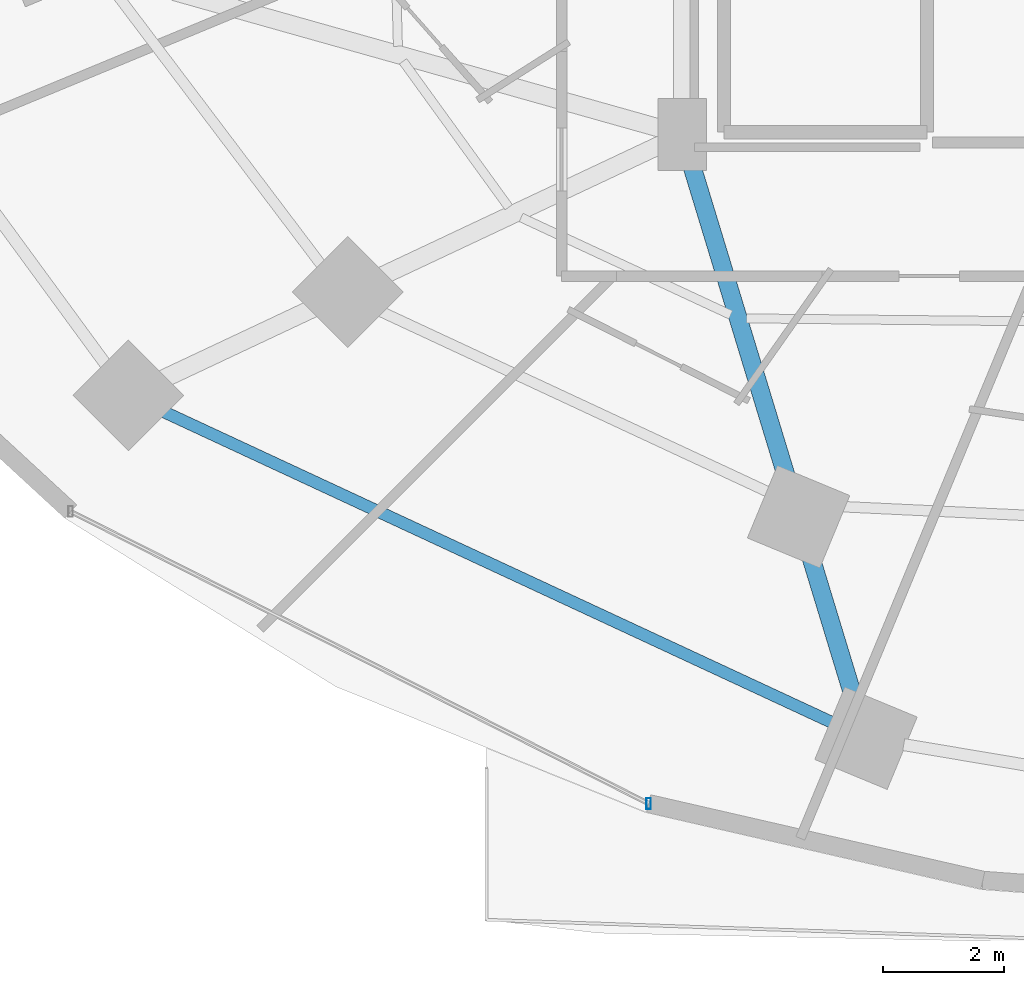
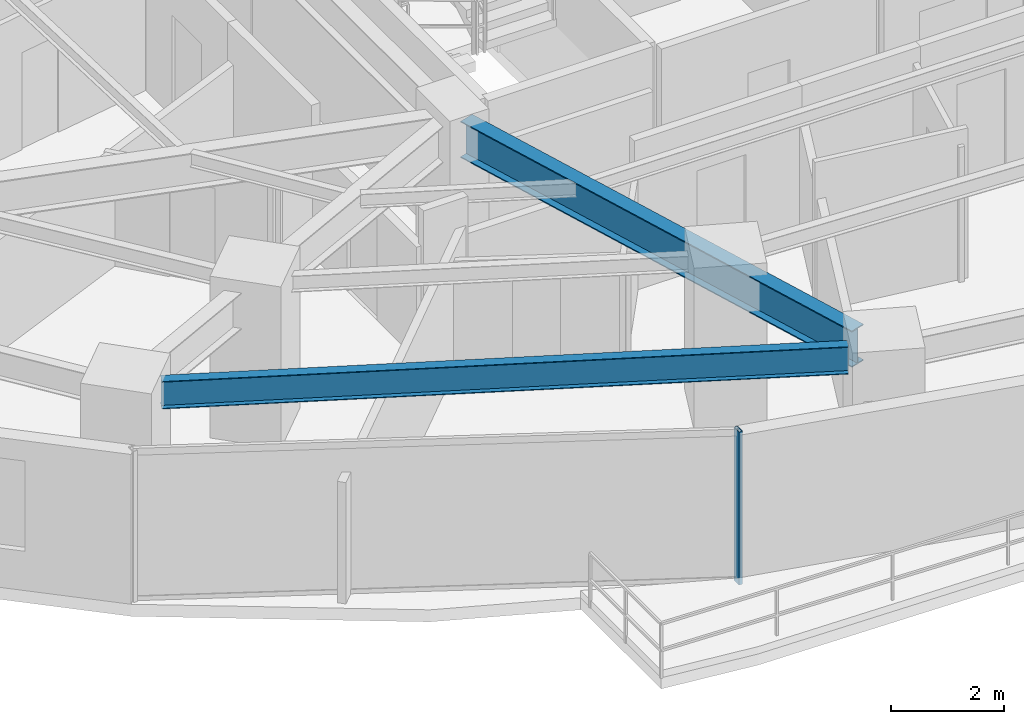
# One storey, part 5 of 36: 2 beams, 1 member, 1 element without a shape of its own.
"""IFC4 building model written with IfcOpenShell, lengths in metres."""

from ifc_helpers import new_model, si_unit, direction, frame, origin, origin_2d, place, context, subcontext, project, spatial, hollow_rectangle, i_section, extrude, material, material_profile, profile_set, type_object, element, aggregate, save


model = new_model("IFC4")

# Units and contexts
model_context = context("Model", 3, precision=1e-05, world=origin(), true_north=direction((0.0, 1.0)))
body_context = subcontext(model_context, "Body", "Model", "MODEL_VIEW")
ifc_project = project(units=[si_unit("LENGTHUNIT", "METRE"), si_unit("AREAUNIT", "SQUARE_METRE"), si_unit("VOLUMEUNIT", "CUBIC_METRE"), si_unit("PLANEANGLEUNIT", "RADIAN"), si_unit("MASSUNIT", "GRAM", prefix="KILO")], contexts=[model_context])

# Site, building, storey
site_placement = place(None, origin())
site = spatial("IfcSite", under=ifc_project, at=site_placement, CompositionType="ELEMENT")
building_placement = place(site_placement, origin())
building = spatial("IfcBuilding", under=site, at=building_placement, Name="Vorneva Point Tower", CompositionType="ELEMENT")
storey_placement = place(building_placement, frame((0.0, 0.0, 24.0)))
storey = spatial("IfcBuildingStorey", under=building, at=storey_placement, Name="L05", CompositionType="ELEMENT", Elevation=24.0)

# Beams
ifc_material_1 = material(Name="Steel S355", Category="steel")
ifc_material_profile_1 = material_profile(ifc_material_1, i_section(OverallWidth=0.300048828125, OverallDepth=0.7880859375, WebThickness=0.014404296875, FlangeThickness=0.02197265625, at=origin_2d()), Name="80Sh1")
ifc_profile_set_1 = profile_set([ifc_material_profile_1], Name="Steel S355")
beam_type_1 = type_object("IfcBeamType", Name="BM-GRD-80Sh1", PredefinedType="USERDEFINED", material=ifc_profile_set_1)
beam_1_placement = place(storey_placement, frame((30.111083984375, 7.045654296875, 2.845947265625), z_axis=(-0.29104183924, 0.956710325967, 0.0), x_axis=(-0.956710325967, -0.29104183924, 0.0)))
element("IfcBeam", 1, at=beam_1_placement, inside=storey, type_object=beam_type_1, Name="L05 Radial Primary Girder 12", ObjectType="GIRDER", PredefinedType="USERDEFINED", context=body_context, shape_type="SweptSolid", body=[
    extrude(i_section(OverallWidth=0.300048828125, OverallDepth=0.7880859375, WebThickness=0.014404296875, FlangeThickness=0.02197265625, at=origin_2d()), origin(), (0.0, 0.0, 1.0), 9.489990234375),
])
ifc_material_profile_2 = material_profile(ifc_material_1, i_section(OverallWidth=0.198974609375, OverallDepth=0.595947265625, WebThickness=0.010009765625, FlangeThickness=0.014892578125, at=origin_2d()), Name="60B1")
ifc_profile_set_2 = profile_set([ifc_material_profile_2], Name="Steel S355")
beam_type_2 = type_object("IfcBeamType", Name="BM-SPN-60B1", PredefinedType="SPANDREL", material=ifc_profile_set_2)
beam_2_placement = place(storey_placement, frame((18.63720703125, 11.8564453125, 2.94189453125), z_axis=(0.906776698196, -0.421611218551, 0.0), x_axis=(0.421611218551, 0.906776698196, 0.0)))
element("IfcBeam", 2, at=beam_2_placement, inside=storey, type_object=beam_type_2, Name="L05 Perimeter Spandrel Ring Beam 11", PredefinedType="SPANDREL", context=body_context, shape_type="SweptSolid", body=[
    extrude(i_section(OverallWidth=0.198974609375, OverallDepth=0.595947265625, WebThickness=0.010009765625, FlangeThickness=0.014892578125, at=origin_2d()), origin(), (0.0, 0.0, 1.0), 12.223388671875),
])

# Curtain wall, member
ifc_material_2 = material(Name="Pale anodised aluminium", Category="aluminium")
curtain_wall_type = type_object("IfcCurtainWallType", Name="CW-HTL-SYS", PredefinedType="NOTDEFINED", material=ifc_material_2)
curtain_wall_placement = place(storey_placement, origin())
curtain_wall = element("IfcCurtainWall", 3, at=curtain_wall_placement, inside=storey, type_object=curtain_wall_type, Name="L05 Unitised Curtain Wall CW-L05-R04", PredefinedType="NOTDEFINED")
ifc_material_profile_3 = material_profile(ifc_material_2, hollow_rectangle(XDim=0.074951171875, YDim=0.179931640625, WallThickness=0.00390625, at=origin_2d()), Name="AL-MUL 180x75x4")
ifc_profile_set_3 = profile_set([ifc_material_profile_3], Name="Pale anodised aluminium")
member_type = type_object("IfcMemberType", Name="CW-MUL-180", PredefinedType="MULLION", material=ifc_profile_set_3)
member_placement = place(storey_placement, frame((26.691650390625, 5.351318359375, -0.0400390625), z_axis=(0.0, 0.0, 1.0), x_axis=(1.0, 0.0, 0.0)))
member = element("IfcMember", 4, at=member_placement, type_object=member_type, Name="CW-L05-R04 Mullion 02", PredefinedType="MULLION", context=body_context, shape_type="SweptSolid", body=[
    extrude(hollow_rectangle(XDim=0.074951171875, YDim=0.179931640625, WallThickness=0.00390625, at=origin_2d()), origin(), (0.0, 0.0, 1.0), 3.31005859375),
])
aggregate(curtain_wall, [member])

save(model, "model.ifc")
